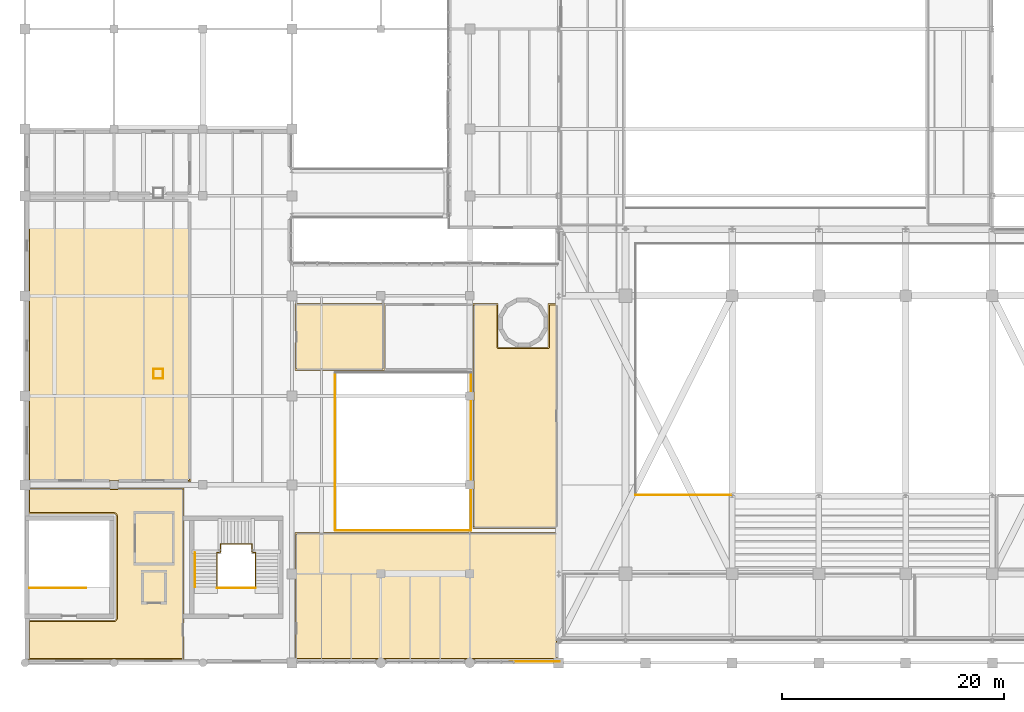
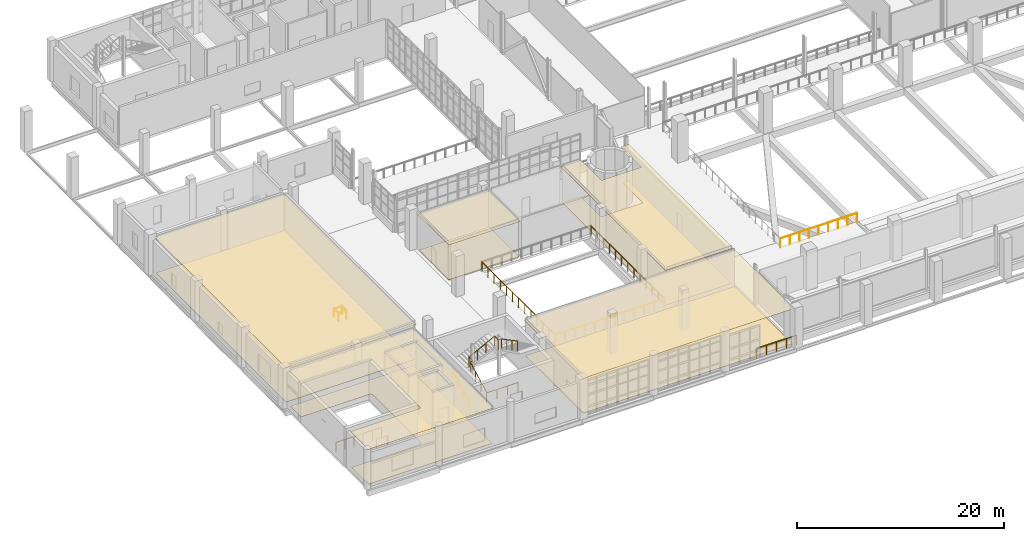
# One storey, part 96 of 100: 13 railings, 10 coverings.
"""IFC4 building model written with IfcOpenShell, lengths in metres."""

from ifc_helpers import new_model, si_unit, derived_unit, direction, frame, origin, origin_2d, place, context, subcontext, project, spatial, polyline, circle, outline, extrude, material, layer, layer_set, type_object, element, save


model = new_model("IFC4")

# Units and contexts
model_context = context("Model", 3, precision=1e-05, world=origin(), true_north=direction((0.0, 1.0)))
body_context = subcontext(model_context, "Body", "Model", "MODEL_VIEW")
ifc_project = project(units=[si_unit("LENGTHUNIT", "METRE"), si_unit("AREAUNIT", "SQUARE_METRE"), si_unit("VOLUMEUNIT", "CUBIC_METRE"), si_unit("PLANEANGLEUNIT", "RADIAN"), si_unit("MASSUNIT", "GRAM", prefix="KILO"), derived_unit("THERMALTRANSMITTANCEUNIT", [(si_unit("POWERUNIT", "WATT"), 1), (si_unit("LENGTHUNIT", "METRE"), -2), (si_unit("THERMODYNAMICTEMPERATUREUNIT", "KELVIN"), -1)])], contexts=[model_context])

# Site, building, storey
site_placement = place(None, origin())
site = spatial("IfcSite", under=ifc_project, at=site_placement, CompositionType="ELEMENT")
building_placement = place(site_placement, origin())
building = spatial("IfcBuilding", under=site, at=building_placement, Name="Nallur Shell Playhouse", CompositionType="ELEMENT")
storey_placement = place(building_placement, frame((0.0, 0.0, 10.199951171875)))
storey = spatial("IfcBuildingStorey", under=building, at=storey_placement, Name="L03", CompositionType="ELEMENT", Elevation=10.199951171875)

# Coverings
ifc_material_1 = material(Name="Micro-Perforated Teak Veneer Acoustic Baffle Ceiling")
ifc_layer_1 = layer(ifc_material_1, 0.044921875)
ifc_layer_set_1 = layer_set([ifc_layer_1], Name="Micro-Perforated Teak Veneer Acoustic Baffle Ceiling")
covering_type_1 = type_object("IfcCoveringType", Name="CV-CEIL-AC1", PredefinedType="CEILING", material=ifc_layer_set_1)
covering_1_placement = place(storey_placement, frame((0.0, 0.0, 4.205078125)))
element("IfcCovering", 1, at=covering_1_placement, inside=storey, type_object=covering_type_1, Name="200-Seat Flexible Black-Box Experimental Theatre suspended acoustic ceiling", PredefinedType="CEILING", context=body_context, shape_type="SweptSolid", body=[
    extrude(outline(polyline([(30.909912109375, 49.7099609375), (30.909912109375, 24.2900390625), (16.2900390625, 24.2900390625), (16.2900390625, 49.7099609375), (30.909912109375, 49.7099609375)])), origin(), (0.0, 0.0, 1.0), 0.044921875),
])
covering_2_placement = place(storey_placement, frame((0.0, 0.0, 4.205078125)))
element("IfcCovering", 2, at=covering_2_placement, inside=storey, type_object=covering_type_1, Name="Dress Circle Lounge Bar suspended acoustic ceiling", PredefinedType="CEILING", context=body_context, shape_type="SweptSolid", body=[
    extrude(outline(polyline([(58.56005859375, 40.31005859375), (58.56005859375, 36.360107421875), (63.0400390625, 36.360107421875), (63.0400390625, 40.31005859375), (63.909912109375, 40.31005859375), (63.909912109375, 20.090087890625), (56.2900390625, 20.090087890625), (56.2900390625, 40.31005859375), (58.56005859375, 40.31005859375)])), origin(), (0.0, 0.0, 1.0), 0.044921875),
])
ifc_material_2 = material(Name="Mineral-Fibre High-NRC Suspended Ceiling Tile")
ifc_layer_2 = layer(ifc_material_2, 0.030029296875)
ifc_layer_set_2 = layer_set([ifc_layer_2], Name="Mineral-Fibre High-NRC Suspended Ceiling Tile")
covering_type_2 = type_object("IfcCoveringType", Name="CV-CEIL-AC2", PredefinedType="CEILING", material=ifc_layer_set_2)
covering_3_placement = place(storey_placement, frame((0.0, 0.0, 4.219970703125)))
element("IfcCovering", 3, at=covering_3_placement, inside=storey, type_object=covering_type_2, Name="Monsoon Atrium Dress Circle Gallery suspended acoustic ceiling", PredefinedType="CEILING", context=body_context, shape_type="SweptSolid", body=[
    extrude(outline(polyline([(63.909912109375, 19.7099609375), (63.909912109375, 8.2900390625), (40.2900390625, 8.2900390625), (40.2900390625, 19.7099609375), (63.909912109375, 19.7099609375)])), origin(), (0.0, 0.0, 1.0), 0.030029296875),
])
covering_4_placement = place(storey_placement, frame((0.0, 0.0, 4.219970703125)))
element("IfcCovering", 4, at=covering_4_placement, inside=storey, type_object=covering_type_2, Name="Patron & Civic Hospitality Salon suspended acoustic ceiling", PredefinedType="CEILING", context=body_context, shape_type="SweptSolid", body=[
    extrude(outline(polyline([(24.039306640625, 11.814208984375), (24.052490234375, 11.8173828125), (24.056884765625, 11.81884765625), (24.071044921875, 11.823974609375), (24.074951171875, 11.825439453125), (24.087646484375, 11.83154296875), (24.091552734375, 11.83349609375), (24.103515625, 11.8408203125), (24.107177734375, 11.84326171875), (24.11865234375, 11.851806640625), (24.122314453125, 11.854736328125), (24.1328125, 11.8642578125), (24.1357421875, 11.8671875), (24.145263671875, 11.877685546875), (24.148193359375, 11.88134765625), (24.15673828125, 11.892822265625), (24.1591796875, 11.896484375), (24.16650390625, 11.908447265625), (24.16845703125, 11.912353515625), (24.174560546875, 11.925048828125), (24.176025390625, 11.928955078125), (24.18115234375, 11.943115234375), (24.1826171875, 11.947509765625), (24.185791015625, 11.960693359375), (24.186767578125, 11.965087890625), (24.188720703125, 11.97900390625), (24.189208984375, 11.9833984375), (24.18994140625, 11.9990234375), (24.18994140625, 12.001220703125), (24.18994140625, 21.198974609375), (24.18994140625, 21.200927734375), (24.189208984375, 21.216796875), (24.188720703125, 21.22119140625), (24.186767578125, 21.23486328125), (24.185791015625, 21.2392578125), (24.1826171875, 21.252685546875), (24.18115234375, 21.2568359375), (24.176025390625, 21.27099609375), (24.174560546875, 21.27490234375), (24.16845703125, 21.28759765625), (24.16650390625, 21.29150390625), (24.1591796875, 21.303466796875), (24.15673828125, 21.30712890625), (24.148193359375, 21.318603515625), (24.145263671875, 21.322265625), (24.1357421875, 21.332763671875), (24.1328125, 21.335693359375), (24.122314453125, 21.34521484375), (24.11865234375, 21.34814453125), (24.107177734375, 21.356689453125), (24.103515625, 21.359130859375), (24.091552734375, 21.366455078125), (24.087646484375, 21.368408203125), (24.074951171875, 21.37451171875), (24.071044921875, 21.376220703125), (24.056884765625, 21.381103515625), (24.052490234375, 21.382568359375), (24.039306640625, 21.3857421875), (24.034912109375, 21.38671875), (24.02099609375, 21.388671875), (24.0166015625, 21.38916015625), (24.0009765625, 21.389892578125), (23.998779296875, 21.389892578125), (16.2900390625, 21.389892578125), (16.2900390625, 23.7099609375), (30.31005859375, 23.7099609375), (30.31005859375, 8.2900390625), (16.2900390625, 8.2900390625), (16.2900390625, 11.81005859375), (23.998779296875, 11.81005859375), (24.0009765625, 11.81005859375), (24.0166015625, 11.810791015625), (24.02099609375, 11.811279296875), (24.034912109375, 11.813232421875), (24.039306640625, 11.814208984375)])), origin(), (0.0, 0.0, 1.0), 0.030029296875),
])
covering_5_placement = place(storey_placement, frame((0.0, 0.0, 4.219970703125)))
element("IfcCovering", 5, at=covering_5_placement, inside=storey, type_object=covering_type_2, Name="Dress Circle Male Restroom suspended acoustic ceiling", PredefinedType="CEILING", context=body_context, shape_type="SweptSolid", body=[
    extrude(outline(polyline([(48.31005859375, 40.31005859375), (48.31005859375, 34.2900390625), (40.2900390625, 34.2900390625), (40.2900390625, 40.31005859375), (48.31005859375, 40.31005859375)])), origin(), (0.0, 0.0, 1.0), 0.030029296875),
])
ifc_material_3 = material(Name="Polished Chettinad Oxide & White Marble Terrazzo Flooring", Category="masonry")
ifc_layer_3 = layer(ifc_material_3, 0.050048828125)
ifc_layer_set_3 = layer_set([ifc_layer_3], Name="Polished Chettinad Oxide & White Marble Terrazzo Flooring")
covering_type_3 = type_object("IfcCoveringType", Name="CV-FLOR-TERRAZZO", PredefinedType="FLOORING", material=ifc_layer_set_3)
covering_6_placement = place(storey_placement, origin())
element("IfcCovering", 6, at=covering_6_placement, inside=storey, type_object=covering_type_3, Name="Monsoon Atrium Dress Circle Gallery floor finish", PredefinedType="FLOORING", context=body_context, shape_type="SweptSolid", body=[
    extrude(outline(polyline([(63.800048828125, 19.60009765625), (63.800048828125, 8.39990234375), (40.39990234375, 8.39990234375), (40.39990234375, 19.60009765625), (63.800048828125, 19.60009765625)])), origin(), (0.0, 0.0, 1.0), 0.050048828125),
])
covering_7_placement = place(storey_placement, origin())
element("IfcCovering", 7, at=covering_7_placement, inside=storey, type_object=covering_type_3, Name="Dress Circle Lounge Bar floor finish", PredefinedType="FLOORING", context=body_context, shape_type="SweptSolid", body=[
    extrude(outline(polyline([(58.47265625, 36.28662109375), (58.479248046875, 36.279296875), (58.486572265625, 36.272705078125), (58.494384765625, 36.266845703125), (58.5029296875, 36.26171875), (58.51171875, 36.257568359375), (58.52099609375, 36.25439453125), (58.530517578125, 36.251953125), (58.540283203125, 36.25048828125), (58.550048828125, 36.25), (63.050048828125, 36.25), (63.059814453125, 36.25048828125), (63.069580078125, 36.251953125), (63.0791015625, 36.25439453125), (63.08837890625, 36.257568359375), (63.09716796875, 36.26171875), (63.105712890625, 36.266845703125), (63.11328125, 36.272705078125), (63.12060546875, 36.279296875), (63.127197265625, 36.28662109375), (63.133056640625, 36.29443359375), (63.13818359375, 36.302978515625), (63.142333984375, 36.311767578125), (63.145751953125, 36.321044921875), (63.148193359375, 36.33056640625), (63.1494140625, 36.340087890625), (63.14990234375, 36.35009765625), (63.14990234375, 40.199951171875), (63.800048828125, 40.199951171875), (63.800048828125, 20.199951171875), (56.39990234375, 20.199951171875), (56.39990234375, 40.199951171875), (58.449951171875, 40.199951171875), (58.449951171875, 36.35009765625), (58.450439453125, 36.340087890625), (58.451904296875, 36.33056640625), (58.454345703125, 36.321044921875), (58.45751953125, 36.311767578125), (58.4619140625, 36.302978515625), (58.466796875, 36.29443359375), (58.47265625, 36.28662109375)])), origin(), (0.0, 0.0, 1.0), 0.050048828125),
])
covering_8_placement = place(storey_placement, origin())
element("IfcCovering", 8, at=covering_8_placement, inside=storey, type_object=covering_type_3, Name="Patron & Civic Hospitality Salon floor finish", PredefinedType="FLOORING", context=body_context, shape_type="SweptSolid", body=[
    extrude(outline(polyline([(24.063232421875, 11.706787109375), (24.08251953125, 11.711669921875), (24.091796875, 11.714599609375), (24.110107421875, 11.72119140625), (24.119384765625, 11.724853515625), (24.136962890625, 11.733154296875), (24.145751953125, 11.73779296875), (24.16259765625, 11.747802734375), (24.170654296875, 11.75341796875), (24.186279296875, 11.76513671875), (24.194091796875, 11.771240234375), (24.20849609375, 11.784423828125), (24.215576171875, 11.79150390625), (24.228759765625, 11.805908203125), (24.23486328125, 11.813720703125), (24.24658203125, 11.829345703125), (24.252197265625, 11.83740234375), (24.26220703125, 11.854248046875), (24.266845703125, 11.863037109375), (24.275146484375, 11.880615234375), (24.27880859375, 11.889892578125), (24.285400390625, 11.908203125), (24.288330078125, 11.91748046875), (24.293212890625, 11.936767578125), (24.295166015625, 11.9462890625), (24.298095703125, 11.9658203125), (24.298828125, 11.9755859375), (24.2998046875, 11.9951171875), (24.300048828125, 12.0), (24.300048828125, 21.199951171875), (24.2998046875, 21.204833984375), (24.298828125, 21.224609375), (24.298095703125, 21.234375), (24.295166015625, 21.253662109375), (24.293212890625, 21.26318359375), (24.288330078125, 21.282470703125), (24.285400390625, 21.291748046875), (24.27880859375, 21.310302734375), (24.275146484375, 21.3193359375), (24.266845703125, 21.3369140625), (24.26220703125, 21.345703125), (24.252197265625, 21.362548828125), (24.24658203125, 21.37060546875), (24.23486328125, 21.386474609375), (24.228759765625, 21.39404296875), (24.215576171875, 21.40869140625), (24.20849609375, 21.41552734375), (24.194091796875, 21.4287109375), (24.186279296875, 21.434814453125), (24.170654296875, 21.446533203125), (24.16259765625, 21.4521484375), (24.145751953125, 21.462158203125), (24.136962890625, 21.466796875), (24.119384765625, 21.47509765625), (24.110107421875, 21.47900390625), (24.091796875, 21.485595703125), (24.08251953125, 21.48828125), (24.063232421875, 21.4931640625), (24.0537109375, 21.4951171875), (24.0341796875, 21.498046875), (24.0244140625, 21.498779296875), (24.0048828125, 21.5), (24.0, 21.5), (16.39990234375, 21.5), (16.39990234375, 23.60009765625), (30.199951171875, 23.60009765625), (30.199951171875, 8.39990234375), (16.39990234375, 8.39990234375), (16.39990234375, 11.699951171875), (24.0, 11.699951171875), (24.0048828125, 11.7001953125), (24.0244140625, 11.701171875), (24.0341796875, 11.701904296875), (24.0537109375, 11.704833984375), (24.063232421875, 11.706787109375)])), origin(), (0.0, 0.0, 1.0), 0.050048828125),
])
covering_9_placement = place(storey_placement, origin())
element("IfcCovering", 9, at=covering_9_placement, inside=storey, type_object=covering_type_3, Name="Dress Circle Male Restroom floor finish", PredefinedType="FLOORING", context=body_context, shape_type="SweptSolid", body=[
    extrude(outline(polyline([(48.199951171875, 40.199951171875), (48.199951171875, 34.39990234375), (40.39990234375, 34.39990234375), (40.39990234375, 40.199951171875), (48.199951171875, 40.199951171875)])), origin(), (0.0, 0.0, 1.0), 0.050048828125),
])
ifc_material_4 = material(Name="Sprung Semi-Resilient Stage & Dance Hardwood Flooring", Category="wood")
ifc_layer_4 = layer(ifc_material_4, 0.054931640625)
ifc_layer_set_4 = layer_set([ifc_layer_4], Name="Sprung Semi-Resilient Stage & Dance Hardwood Flooring")
covering_type_4 = type_object("IfcCoveringType", Name="CV-FLOR-TIMBER", PredefinedType="FLOORING", material=ifc_layer_set_4)
covering_10_placement = place(storey_placement, origin())
element("IfcCovering", 10, at=covering_10_placement, inside=storey, type_object=covering_type_4, Name="200-Seat Flexible Black-Box Experimental Theatre floor finish", PredefinedType="FLOORING", context=body_context, shape_type="SweptSolid", body=[
    extrude(outline(polyline([(30.800048828125, 49.60009765625), (30.800048828125, 24.39990234375), (16.39990234375, 24.39990234375), (16.39990234375, 49.60009765625), (30.800048828125, 49.60009765625)])), origin(), (0.0, 0.0, 1.0), 0.054931640625),
])

# Railings
ifc_material_5 = material(Name="Bronze-Anodised Foyer Void Acoustic Glass Guardrail", Category="glass")
railing_type_1 = type_object("IfcRailingType", Name="RL-BAL-1100", PredefinedType="BALUSTRADE", material=ifc_material_5)
railing_1_placement = place(storey_placement, frame((70.89990234375, 23.10009765625, 0.0)))
element("IfcRailing", 11, at=railing_1_placement, inside=storey, type_object=railing_type_1, Name="L03 interior void balustrade 005", PredefinedType="BALUSTRADE", context=body_context, shape_type="SweptSolid", body=[
    extrude(circle(Radius=0.02392578125, at=origin_2d()), frame((0.0, 0.0, 1.09619140625), z_axis=(1.0, 0.0, 0.0), x_axis=(0.0, 1.0, 0.0)), (0.0, 0.0, 1.0), 8.580078125),
    extrude(circle(Radius=0.02099609375, at=origin_2d()), origin(), (0.0, 0.0, 1.0), 1.072021484375),
    extrude(circle(Radius=0.02099609375, at=origin_2d()), frame((1.072509765625, 0.0, 0.0)), (0.0, 0.0, 1.0), 1.072021484375),
    extrude(circle(Radius=0.02099609375, at=origin_2d()), frame((2.14501953125, 0.0, 0.0)), (0.0, 0.0, 1.0), 1.072021484375),
    extrude(circle(Radius=0.02099609375, at=origin_2d()), frame((3.217529296875, 0.0, 0.0)), (0.0, 0.0, 1.0), 1.072021484375),
    extrude(circle(Radius=0.02099609375, at=origin_2d()), frame((4.2900390625, 0.0, 0.0)), (0.0, 0.0, 1.0), 1.072021484375),
    extrude(circle(Radius=0.02099609375, at=origin_2d()), frame((5.362548828125, 0.0, 0.0)), (0.0, 0.0, 1.0), 1.072021484375),
    extrude(circle(Radius=0.02099609375, at=origin_2d()), frame((6.43505859375, 0.0, 0.0)), (0.0, 0.0, 1.0), 1.072021484375),
    extrude(circle(Radius=0.02099609375, at=origin_2d()), frame((7.507568359375, 0.0, 0.0)), (0.0, 0.0, 1.0), 1.072021484375),
    extrude(circle(Radius=0.02099609375, at=origin_2d()), frame((8.580078125, 0.0, 0.0)), (0.0, 0.0, 1.0), 1.072021484375),
])
railing_2_placement = place(storey_placement, frame((43.89990234375, 19.89990234375, 0.0)))
element("IfcRailing", 12, at=railing_2_placement, inside=storey, type_object=railing_type_1, Name="L03 interior void balustrade 009", PredefinedType="BALUSTRADE", context=body_context, shape_type="SweptSolid", body=[
    extrude(circle(Radius=0.02392578125, at=origin_2d()), frame((0.0, 0.0, 1.09619140625), z_axis=(1.0, 0.0, 0.0), x_axis=(0.0, 1.0, 0.0)), (0.0, 0.0, 1.0), 12.2001953125),
    extrude(circle(Radius=0.02099609375, at=origin_2d()), origin(), (0.0, 0.0, 1.0), 1.072021484375),
    extrude(circle(Radius=0.02099609375, at=origin_2d()), frame((1.109130859375, 0.0, 0.0)), (0.0, 0.0, 1.0), 1.072021484375),
    extrude(circle(Radius=0.02099609375, at=origin_2d()), frame((2.21826171875, 0.0, 0.0)), (0.0, 0.0, 1.0), 1.072021484375),
    extrude(circle(Radius=0.02099609375, at=origin_2d()), frame((3.327392578125, 0.0, 0.0)), (0.0, 0.0, 1.0), 1.072021484375),
    extrude(circle(Radius=0.02099609375, at=origin_2d()), frame((4.4365234375, 0.0, 0.0)), (0.0, 0.0, 1.0), 1.072021484375),
    extrude(circle(Radius=0.02099609375, at=origin_2d()), frame((5.545654296875, 0.0, 0.0)), (0.0, 0.0, 1.0), 1.072021484375),
    extrude(circle(Radius=0.02099609375, at=origin_2d()), frame((6.654541015625, 0.0, 0.0)), (0.0, 0.0, 1.0), 1.072021484375),
    extrude(circle(Radius=0.02099609375, at=origin_2d()), frame((7.763671875, 0.0, 0.0)), (0.0, 0.0, 1.0), 1.072021484375),
    extrude(circle(Radius=0.02099609375, at=origin_2d()), frame((8.872802734375, 0.0, 0.0)), (0.0, 0.0, 1.0), 1.072021484375),
    extrude(circle(Radius=0.02099609375, at=origin_2d()), frame((9.98193359375, 0.0, 0.0)), (0.0, 0.0, 1.0), 1.072021484375),
    extrude(circle(Radius=0.02099609375, at=origin_2d()), frame((11.091064453125, 0.0, 0.0)), (0.0, 0.0, 1.0), 1.072021484375),
    extrude(circle(Radius=0.02099609375, at=origin_2d()), frame((12.2001953125, 0.0, 0.0)), (0.0, 0.0, 1.0), 1.072021484375),
])
railing_3_placement = place(storey_placement, frame((56.10009765625, 19.89990234375, 0.0)))
element("IfcRailing", 13, at=railing_3_placement, inside=storey, type_object=railing_type_1, Name="L03 interior void balustrade 010", PredefinedType="BALUSTRADE", context=body_context, shape_type="SweptSolid", body=[
    extrude(circle(Radius=0.02392578125, at=origin_2d()), frame((0.0, 0.0, 1.09619140625), z_axis=(0.0, 1.0, 0.0), x_axis=(-1.0, 0.0, 0.0)), (0.0, 0.0, 1.0), 14.2001953125),
    extrude(circle(Radius=0.02099609375, at=origin_2d()), origin(), (0.0, 0.0, 1.0), 1.072021484375),
    extrude(circle(Radius=0.02099609375, at=origin_2d()), frame((0.0, 1.183349609375, 0.0)), (0.0, 0.0, 1.0), 1.072021484375),
    extrude(circle(Radius=0.02099609375, at=origin_2d()), frame((0.0, 2.36669921875, 0.0)), (0.0, 0.0, 1.0), 1.072021484375),
    extrude(circle(Radius=0.02099609375, at=origin_2d()), frame((0.0, 3.550048828125, 0.0)), (0.0, 0.0, 1.0), 1.072021484375),
    extrude(circle(Radius=0.02099609375, at=origin_2d()), frame((0.0, 4.7333984375, 0.0)), (0.0, 0.0, 1.0), 1.072021484375),
    extrude(circle(Radius=0.02099609375, at=origin_2d()), frame((0.0, 5.916748046875, 0.0)), (0.0, 0.0, 1.0), 1.072021484375),
    extrude(circle(Radius=0.02099609375, at=origin_2d()), frame((0.0, 7.10009765625, 0.0)), (0.0, 0.0, 1.0), 1.072021484375),
    extrude(circle(Radius=0.02099609375, at=origin_2d()), frame((0.0, 8.283447265625, 0.0)), (0.0, 0.0, 1.0), 1.072021484375),
    extrude(circle(Radius=0.02099609375, at=origin_2d()), frame((0.0, 9.466796875, 0.0)), (0.0, 0.0, 1.0), 1.072021484375),
    extrude(circle(Radius=0.02099609375, at=origin_2d()), frame((0.0, 10.650146484375, 0.0)), (0.0, 0.0, 1.0), 1.072021484375),
    extrude(circle(Radius=0.02099609375, at=origin_2d()), frame((0.0, 11.83349609375, 0.0)), (0.0, 0.0, 1.0), 1.072021484375),
    extrude(circle(Radius=0.02099609375, at=origin_2d()), frame((0.0, 13.016845703125, 0.0)), (0.0, 0.0, 1.0), 1.072021484375),
    extrude(circle(Radius=0.02099609375, at=origin_2d()), frame((0.0, 14.2001953125, 0.0)), (0.0, 0.0, 1.0), 1.072021484375),
])
railing_4_placement = place(storey_placement, frame((43.89990234375, 34.10009765625, 0.0)))
element("IfcRailing", 14, at=railing_4_placement, inside=storey, type_object=railing_type_1, Name="L03 interior void balustrade 012", PredefinedType="BALUSTRADE", context=body_context, shape_type="SweptSolid", body=[
    extrude(circle(Radius=0.02392578125, at=origin_2d()), frame((0.0, 0.0, 1.09619140625), z_axis=(0.0, -1.0, 0.0), x_axis=(1.0, 0.0, 0.0)), (0.0, 0.0, 1.0), 14.2001953125),
    extrude(circle(Radius=0.02099609375, at=origin_2d()), origin(), (0.0, 0.0, 1.0), 1.072021484375),
    extrude(circle(Radius=0.02099609375, at=origin_2d()), frame((0.0, -1.183349609375, 0.0)), (0.0, 0.0, 1.0), 1.072021484375),
    extrude(circle(Radius=0.02099609375, at=origin_2d()), frame((0.0, -2.36669921875, 0.0)), (0.0, 0.0, 1.0), 1.072021484375),
    extrude(circle(Radius=0.02099609375, at=origin_2d()), frame((0.0, -3.550048828125, 0.0)), (0.0, 0.0, 1.0), 1.072021484375),
    extrude(circle(Radius=0.02099609375, at=origin_2d()), frame((0.0, -4.7333984375, 0.0)), (0.0, 0.0, 1.0), 1.072021484375),
    extrude(circle(Radius=0.02099609375, at=origin_2d()), frame((0.0, -5.916748046875, 0.0)), (0.0, 0.0, 1.0), 1.072021484375),
    extrude(circle(Radius=0.02099609375, at=origin_2d()), frame((0.0, -7.10009765625, 0.0)), (0.0, 0.0, 1.0), 1.072021484375),
    extrude(circle(Radius=0.02099609375, at=origin_2d()), frame((0.0, -8.283447265625, 0.0)), (0.0, 0.0, 1.0), 1.072021484375),
    extrude(circle(Radius=0.02099609375, at=origin_2d()), frame((0.0, -9.466796875, 0.0)), (0.0, 0.0, 1.0), 1.072021484375),
    extrude(circle(Radius=0.02099609375, at=origin_2d()), frame((0.0, -10.650146484375, 0.0)), (0.0, 0.0, 1.0), 1.072021484375),
    extrude(circle(Radius=0.02099609375, at=origin_2d()), frame((0.0, -11.83349609375, 0.0)), (0.0, 0.0, 1.0), 1.072021484375),
    extrude(circle(Radius=0.02099609375, at=origin_2d()), frame((0.0, -13.016845703125, 0.0)), (0.0, 0.0, 1.0), 1.072021484375),
    extrude(circle(Radius=0.02099609375, at=origin_2d()), frame((0.0, -14.2001953125, 0.0)), (0.0, 0.0, 1.0), 1.072021484375),
])
ifc_material_6 = material(Name="Brushed Stainless Steel 316 Balustrade & Toughened Infill", Category="steel")
railing_type_2 = type_object("IfcRailingType", Name="RL-GUARD-1100", PredefinedType="BALUSTRADE", material=ifc_material_6)
railing_5_placement = place(storey_placement, frame((33.260009765625, 14.800048828125, 0.0)))
element("IfcRailing", 15, at=railing_5_placement, inside=storey, type_object=railing_type_2, Name="Stair ST-01-L03 inner open-well guard", PredefinedType="BALUSTRADE", context=body_context, shape_type="SweptSolid", body=[
    extrude(circle(Radius=0.02392578125, at=origin_2d()), frame((0.0, 0.0, 1.15576171875), z_axis=(0.0, 0.885200240898, 0.465210203579), x_axis=(-1.0, 0.0, 0.0)), (0.0, 0.0, 1.0), 3.547119140625),
    extrude(circle(Radius=0.02392578125, at=origin_2d()), frame((0.0, 3.139892578125, 2.80615234375), z_axis=(1.0, 0.0, 0.0), x_axis=(0.0, 1.0, 0.0)), (0.0, 0.0, 1.0), 0.304931640625),
    extrude(circle(Radius=0.02392578125, at=origin_2d()), frame((0.304931640625, 3.139892578125, 2.80615234375), z_axis=(0.0, 1.0, 0.0), x_axis=(-1.0, 0.0, 0.0)), (0.0, 0.0, 1.0), 0.760009765625),
    extrude(circle(Radius=0.02392578125, at=origin_2d()), frame((0.304931640625, 3.89990234375, 2.80615234375), z_axis=(0.886262018935, 0.0, 0.463184233101), x_axis=(0.0, 1.0, 0.0)), (0.0, 0.0, 1.0), 3.238525390625),
    extrude(circle(Radius=0.02392578125, at=origin_2d()), frame((3.175048828125, 3.89990234375, 4.30615234375), z_axis=(0.0, -1.0, 0.0), x_axis=(1.0, 0.0, 0.0)), (0.0, 0.0, 1.0), 0.760009765625),
    extrude(circle(Radius=0.02392578125, at=origin_2d()), frame((3.175048828125, 3.139892578125, 4.30615234375), z_axis=(1.0, 0.0, 0.0), x_axis=(0.0, 1.0, 0.0)), (0.0, 0.0, 1.0), 0.304931640625),
    extrude(circle(Radius=0.02392578125, at=origin_2d()), frame((3.47998046875, 3.139892578125, 4.30615234375), z_axis=(0.0, -0.885228583928, 0.465156268578), x_axis=(1.0, 0.0, 0.0)), (0.0, 0.0, 1.0), 3.546875),
    extrude(circle(Radius=0.02099609375, at=origin_2d()), origin(), (0.0, 0.0, 1.0), 1.1318359375),
    extrude(circle(Radius=0.02099609375, at=origin_2d()), frame((0.0, 1.046630859375, 0.550048828125)), (0.0, 0.0, 1.0), 1.1318359375),
    extrude(circle(Radius=0.02099609375, at=origin_2d()), frame((0.0, 2.09326171875, 1.10009765625)), (0.0, 0.0, 1.0), 1.1318359375),
    extrude(circle(Radius=0.02099609375, at=origin_2d()), frame((0.0, 3.139892578125, 1.650146484375)), (0.0, 0.0, 1.0), 1.1318359375),
    extrude(circle(Radius=0.02099609375, at=origin_2d()), frame((0.304931640625, 3.139892578125, 1.650146484375)), (0.0, 0.0, 1.0), 1.1318359375),
    extrude(circle(Radius=0.02099609375, at=origin_2d()), frame((0.304931640625, 3.89990234375, 1.650146484375)), (0.0, 0.0, 1.0), 1.1318359375),
    extrude(circle(Radius=0.02099609375, at=origin_2d()), frame((1.26171875, 3.89990234375, 2.150146484375)), (0.0, 0.0, 1.0), 1.1318359375),
    extrude(circle(Radius=0.02099609375, at=origin_2d()), frame((2.21826171875, 3.89990234375, 2.650146484375)), (0.0, 0.0, 1.0), 1.1318359375),
    extrude(circle(Radius=0.02099609375, at=origin_2d()), frame((3.175048828125, 3.89990234375, 3.150146484375)), (0.0, 0.0, 1.0), 1.1318359375),
    extrude(circle(Radius=0.02099609375, at=origin_2d()), frame((3.175048828125, 3.139892578125, 3.150146484375)), (0.0, 0.0, 1.0), 1.1318359375),
    extrude(circle(Radius=0.02099609375, at=origin_2d()), frame((3.47998046875, 3.139892578125, 3.150146484375)), (0.0, 0.0, 1.0), 1.1318359375),
    extrude(circle(Radius=0.02099609375, at=origin_2d()), frame((3.47998046875, 2.09326171875, 3.7001953125)), (0.0, 0.0, 1.0), 1.1318359375),
    extrude(circle(Radius=0.02099609375, at=origin_2d()), frame((3.47998046875, 1.046630859375, 4.25)), (0.0, 0.0, 1.0), 1.1318359375),
    extrude(circle(Radius=0.02099609375, at=origin_2d()), frame((3.47998046875, 0.0, 4.800048828125)), (0.0, 0.0, 1.0), 1.1318359375),
])
railing_6_placement = place(storey_placement, frame((33.260009765625, 14.739990234375, 0.0)))
element("IfcRailing", 16, at=railing_6_placement, inside=storey, type_object=railing_type_2, Name="Stair ST-01-L03 floor-well guard", PredefinedType="BALUSTRADE", context=body_context, shape_type="SweptSolid", body=[
    extrude(circle(Radius=0.02392578125, at=origin_2d()), frame((0.0, 0.0, 1.09619140625), z_axis=(1.0, 0.0, 0.0), x_axis=(0.0, 1.0, 0.0)), (0.0, 0.0, 1.0), 3.47998046875),
    extrude(circle(Radius=0.02099609375, at=origin_2d()), origin(), (0.0, 0.0, 1.0), 1.072021484375),
    extrude(circle(Radius=0.02099609375, at=origin_2d()), frame((1.159912109375, 0.0, 0.0)), (0.0, 0.0, 1.0), 1.072021484375),
    extrude(circle(Radius=0.02099609375, at=origin_2d()), frame((2.320068359375, 0.0, 0.0)), (0.0, 0.0, 1.0), 1.072021484375),
    extrude(circle(Radius=0.02099609375, at=origin_2d()), frame((3.47998046875, 0.0, 0.0)), (0.0, 0.0, 1.0), 1.072021484375),
])
railing_7_placement = place(storey_placement, frame((16.389892578125, 14.739990234375, 0.0)))
element("IfcRailing", 17, at=railing_7_placement, inside=storey, type_object=railing_type_2, Name="Stair ST-07 top landing guardrail (L03)", PredefinedType="BALUSTRADE", context=body_context, shape_type="SweptSolid", body=[
    extrude(circle(Radius=0.02392578125, at=origin_2d()), frame((0.0, 0.0, 1.1357421875), z_axis=(1.0, 0.0, 0.0), x_axis=(0.0, 1.0, 0.0)), (0.0, 0.0, 1.0), 5.090087890625),
    extrude(circle(Radius=0.02099609375, at=origin_2d()), origin(), (0.0, 0.0, 1.0), 1.11181640625),
    extrude(circle(Radius=0.02099609375, at=origin_2d()), frame((1.01806640625, 0.0, 0.0)), (0.0, 0.0, 1.0), 1.11181640625),
    extrude(circle(Radius=0.02099609375, at=origin_2d()), frame((2.0361328125, 0.0, 0.0)), (0.0, 0.0, 1.0), 1.11181640625),
    extrude(circle(Radius=0.02099609375, at=origin_2d()), frame((3.053955078125, 0.0, 0.0)), (0.0, 0.0, 1.0), 1.11181640625),
    extrude(circle(Radius=0.02099609375, at=origin_2d()), frame((4.072021484375, 0.0, 0.0)), (0.0, 0.0, 1.0), 1.11181640625),
    extrude(circle(Radius=0.02099609375, at=origin_2d()), frame((5.090087890625, 0.0, 0.0)), (0.0, 0.0, 1.0), 1.11181640625),
])
railing_8_placement = place(storey_placement, frame((27.570068359375, 33.570068359375, 0.0)))
element("IfcRailing", 18, at=railing_8_placement, inside=storey, type_object=railing_type_2, Name="L03 service riser edge guard 083", PredefinedType="BALUSTRADE", context=body_context, shape_type="SweptSolid", body=[
    extrude(circle(Radius=0.02392578125, at=origin_2d()), frame((0.0, 0.0, 1.09619140625), z_axis=(1.0, 0.0, 0.0), x_axis=(0.0, 1.0, 0.0)), (0.0, 0.0, 1.0), 0.85986328125),
    extrude(circle(Radius=0.02099609375, at=origin_2d()), origin(), (0.0, 0.0, 1.0), 1.072021484375),
    extrude(circle(Radius=0.02099609375, at=origin_2d()), frame((0.85986328125, 0.0, 0.0)), (0.0, 0.0, 1.0), 1.072021484375),
])
railing_9_placement = place(storey_placement, frame((28.429931640625, 33.570068359375, 0.0)))
element("IfcRailing", 19, at=railing_9_placement, inside=storey, type_object=railing_type_2, Name="L03 service riser edge guard 084", PredefinedType="BALUSTRADE", context=body_context, shape_type="SweptSolid", body=[
    extrude(circle(Radius=0.02392578125, at=origin_2d()), frame((0.0, 0.0, 1.09619140625), z_axis=(0.0, 1.0, 0.0), x_axis=(-1.0, 0.0, 0.0)), (0.0, 0.0, 1.0), 0.85986328125),
    extrude(circle(Radius=0.02099609375, at=origin_2d()), origin(), (0.0, 0.0, 1.0), 1.072021484375),
    extrude(circle(Radius=0.02099609375, at=origin_2d()), frame((0.0, 0.85986328125, 0.0)), (0.0, 0.0, 1.0), 1.072021484375),
])
railing_10_placement = place(storey_placement, frame((28.429931640625, 34.429931640625, 0.0)))
element("IfcRailing", 20, at=railing_10_placement, inside=storey, type_object=railing_type_2, Name="L03 service riser edge guard 085", PredefinedType="BALUSTRADE", context=body_context, shape_type="SweptSolid", body=[
    extrude(circle(Radius=0.02392578125, at=origin_2d()), frame((0.0, 0.0, 1.09619140625), z_axis=(-1.0, 0.0, 0.0), x_axis=(0.0, -1.0, 0.0)), (0.0, 0.0, 1.0), 0.85986328125),
    extrude(circle(Radius=0.02099609375, at=origin_2d()), origin(), (0.0, 0.0, 1.0), 1.072021484375),
    extrude(circle(Radius=0.02099609375, at=origin_2d()), frame((-0.85986328125, 0.0, 0.0)), (0.0, 0.0, 1.0), 1.072021484375),
])
railing_11_placement = place(storey_placement, frame((27.570068359375, 34.429931640625, 0.0)))
element("IfcRailing", 21, at=railing_11_placement, inside=storey, type_object=railing_type_2, Name="L03 service riser edge guard 086", PredefinedType="BALUSTRADE", context=body_context, shape_type="SweptSolid", body=[
    extrude(circle(Radius=0.02392578125, at=origin_2d()), frame((0.0, 0.0, 1.09619140625), z_axis=(0.0, -1.0, 0.0), x_axis=(1.0, 0.0, 0.0)), (0.0, 0.0, 1.0), 0.85986328125),
    extrude(circle(Radius=0.02099609375, at=origin_2d()), origin(), (0.0, 0.0, 1.0), 1.072021484375),
    extrude(circle(Radius=0.02099609375, at=origin_2d()), frame((0.0, -0.85986328125, 0.0)), (0.0, 0.0, 1.0), 1.072021484375),
])
railing_12_placement = place(storey_placement, frame((59.60009765625, 8.1201171875, 0.0)))
element("IfcRailing", 22, at=railing_12_placement, inside=storey, type_object=railing_type_2, Name="L03 South Foyer corner balustrade", PredefinedType="BALUSTRADE", context=body_context, shape_type="SweptSolid", body=[
    extrude(circle(Radius=0.02392578125, at=origin_2d()), frame((0.0, 0.0, 1.1259765625), z_axis=(1.0, 0.0, 0.0), x_axis=(0.0, 1.0, 0.0)), (0.0, 0.0, 1.0), 4.449951171875),
    extrude(circle(Radius=0.02099609375, at=origin_2d()), origin(), (0.0, 0.0, 1.0), 1.101806640625),
    extrude(circle(Radius=0.02099609375, at=origin_2d()), frame((1.112548828125, 0.0, 0.0)), (0.0, 0.0, 1.0), 1.101806640625),
    extrude(circle(Radius=0.02099609375, at=origin_2d()), frame((2.22509765625, 0.0, 0.0)), (0.0, 0.0, 1.0), 1.101806640625),
    extrude(circle(Radius=0.02099609375, at=origin_2d()), frame((3.33740234375, 0.0, 0.0)), (0.0, 0.0, 1.0), 1.101806640625),
    extrude(circle(Radius=0.02099609375, at=origin_2d()), frame((4.449951171875, 0.0, 0.0)), (0.0, 0.0, 1.0), 1.101806640625),
])
ifc_material_7 = material(Name="Stainless Steel 316 Continuous Tubular Handrail", Category="steel")
railing_type_3 = type_object("IfcRailingType", Name="RL-HANDRAIL-900", PredefinedType="HANDRAIL", material=ifc_material_7)
railing_13_placement = place(storey_placement, frame((31.280029296875, 14.800048828125, 0.0)))
element("IfcRailing", 23, at=railing_13_placement, inside=storey, type_object=railing_type_3, Name="Stair ST-01-L03 outer handrail F1", PredefinedType="HANDRAIL", context=body_context, shape_type="SweptSolid", body=[
    extrude(circle(Radius=0.02392578125, at=origin_2d()), frame((0.0, 0.0, 0.89599609375), z_axis=(0.0, 0.882720248289, 0.469898886208), x_axis=(-1.0, 0.0, 0.0)), (0.0, 0.0, 1.0), 3.51171875),
    extrude(circle(Radius=0.02099609375, at=origin_2d()), origin(), (0.0, 0.0, 1.0), 0.871826171875),
    extrude(circle(Radius=0.02099609375, at=origin_2d()), frame((0.0, 1.033203125, 0.550048828125)), (0.0, 0.0, 1.0), 0.871826171875),
    extrude(circle(Radius=0.02099609375, at=origin_2d()), frame((0.0, 2.066650390625, 1.10009765625)), (0.0, 0.0, 1.0), 0.871826171875),
    extrude(circle(Radius=0.02099609375, at=origin_2d()), frame((0.0, 3.099853515625, 1.650146484375)), (0.0, 0.0, 1.0), 0.871826171875),
])

save(model, "model.ifc")
